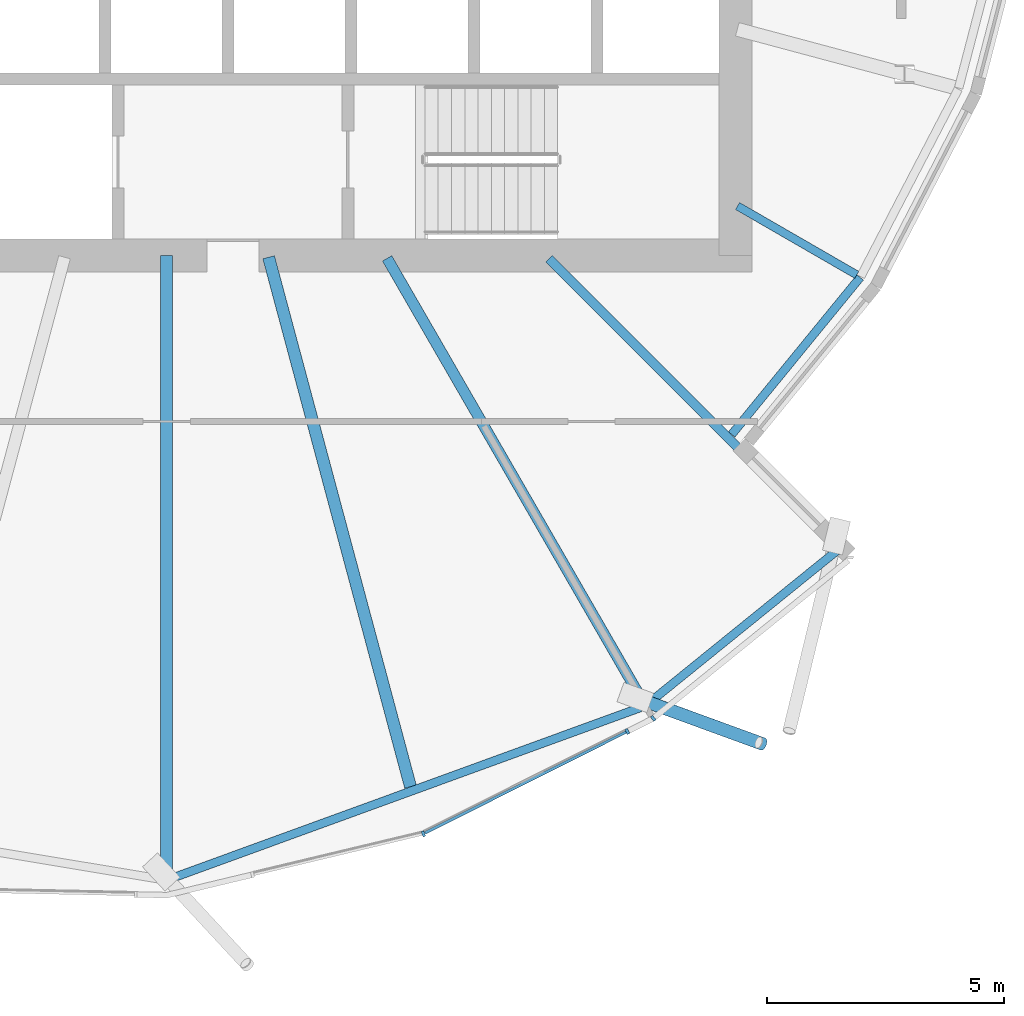
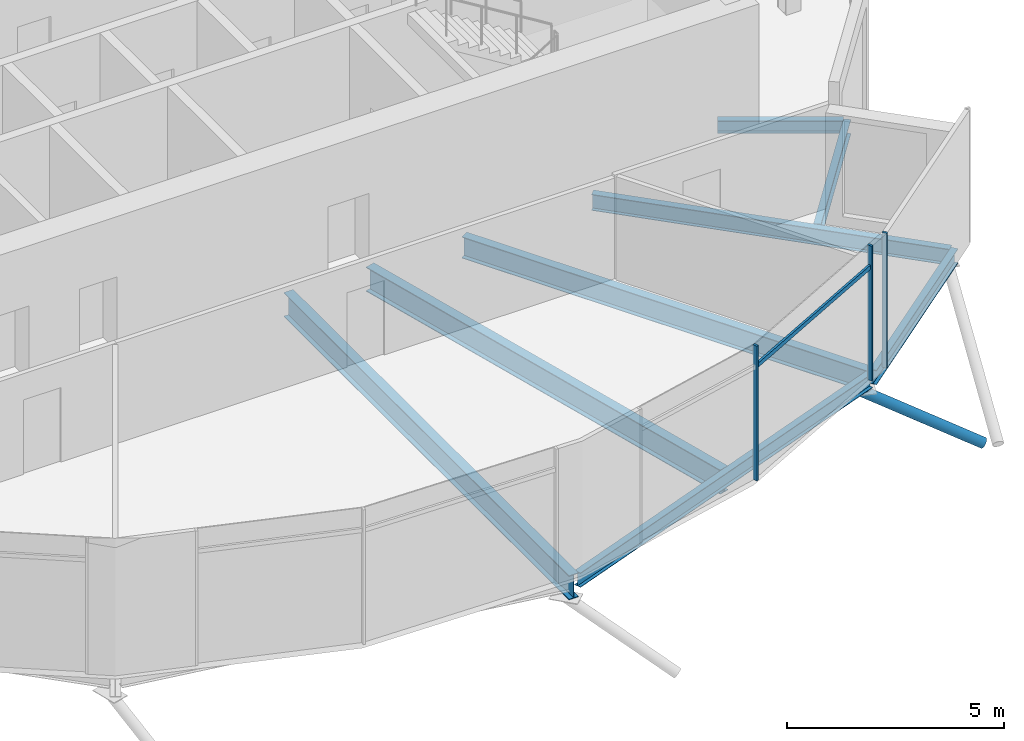
# One storey, part 14 of 39: 8 beams, 5 members, 1 element without a shape of its own.
"""IFC4 building model written with IfcOpenShell, lengths in metres."""

from ifc_helpers import new_model, si_unit, direction, frame, origin, origin_2d, place, context, subcontext, project, spatial, rectangle, hollow_circle, i_section, extrude, clip, halfspace, material, material_profile, profile_set, type_object, element, aggregate, save


model = new_model("IFC4")

# Units and contexts
model_context = context("Model", 3, precision=1e-05, world=origin(), true_north=direction((0.0, 1.0)))
body_context = subcontext(model_context, "Body", "Model", "MODEL_VIEW")
ifc_project = project(units=[si_unit("LENGTHUNIT", "METRE"), si_unit("AREAUNIT", "SQUARE_METRE"), si_unit("VOLUMEUNIT", "CUBIC_METRE"), si_unit("PLANEANGLEUNIT", "RADIAN"), si_unit("MASSUNIT", "GRAM", prefix="KILO")], contexts=[model_context])

# Site, building, storey
site_placement = place(None, origin())
site = spatial("IfcSite", under=ifc_project, at=site_placement, CompositionType="ELEMENT")
building_placement = place(site_placement, origin())
building = spatial("IfcBuilding", under=site, at=building_placement, Name="Rimbun Link Towers", CompositionType="ELEMENT")
storey_placement = place(building_placement, frame((0.0, 0.0, 143.0)))
storey = spatial("IfcBuildingStorey", under=building, at=storey_placement, Name="L34", CompositionType="ELEMENT", Elevation=143.0)

# Curtain wall, members
ifc_material_1 = material(Name="Aluminium 6063-T6 and low-iron glass", Category="aluminium")
curtain_wall_type = type_object("IfcCurtainWallType", Name="CW4 link block wall", PredefinedType="NOTDEFINED", material=ifc_material_1)
curtain_wall_placement = place(storey_placement, origin())
curtain_wall = element("IfcCurtainWall", 1, at=curtain_wall_placement, inside=storey, type_object=curtain_wall_type, Name="CW4 L34 T2", PredefinedType="NOTDEFINED")
ifc_material_2 = material(Name="Aluminium 6063-T6", Category="aluminium")
ifc_material_profile_1 = material_profile(ifc_material_2, rectangle(XDim=0.1201171875, YDim=0.06005859375, at=origin_2d()), Name="MULLION 60X120")
ifc_profile_set_1 = profile_set([ifc_material_profile_1], Name="Aluminium 6063-T6")
member_type_1 = type_object("IfcMemberType", Name="CW4 mullion 60X120", PredefinedType="MULLION", material=ifc_profile_set_1)
member_1_placement = place(storey_placement, frame((37.167236328125, -20.197021484375, 0.0), z_axis=(0.0, 0.0, 1.0), x_axis=(0.342963066451, -0.939348888886, 0.0)))
member_1 = element("IfcMember", 2, at=member_1_placement, type_object=member_type_1, Name="CW4 mullion", PredefinedType="MULLION", context=body_context, shape_type="SweptSolid", body=[
    extrude(rectangle(XDim=0.1201171875, YDim=0.06005859375, at=origin_2d()), origin(), (0.0, 0.0, 1.0), 3.800048828125),
])
member_2_placement = place(storey_placement, frame((41.46826171875, -18.03759765625, 0.0), z_axis=(0.0, 0.0, 1.0), x_axis=(0.448781608432, -0.893641464981, 0.0)))
member_2 = element("IfcMember", 3, at=member_2_placement, type_object=member_type_1, Name="CW4 mullion", PredefinedType="MULLION", context=body_context, shape_type="SweptSolid", body=[
    extrude(rectangle(XDim=0.1201171875, YDim=0.06005859375, at=origin_2d()), origin(), (0.0, 0.0, 1.0), 3.800048828125),
])
member_3_placement = place(storey_placement, frame((42.01513671875, -17.76123046875, 0.0), z_axis=(0.0, 0.0, 1.0), x_axis=(0.629158779809, -0.777276803841, 0.0)))
member_3 = element("IfcMember", 4, at=member_3_placement, type_object=member_type_1, Name="CW4 mullion", PredefinedType="MULLION", context=body_context, shape_type="SweptSolid", body=[
    extrude(rectangle(XDim=0.1201171875, YDim=0.06005859375, at=origin_2d()), origin(), (0.0, 0.0, 1.0), 3.800048828125),
])
ifc_material_3 = material(Name="Aluminium 6063-T6", Category="aluminium")
ifc_material_profile_2 = material_profile(ifc_material_3, rectangle(XDim=0.06005859375, YDim=0.1201171875, at=origin_2d()), Name="TRANSOM 60X120")
ifc_profile_set_2 = profile_set([ifc_material_profile_2], Name="Aluminium 6063-T6")
member_type_2 = type_object("IfcMemberType", Name="CW4 transom 60X120", PredefinedType="USERDEFINED", material=ifc_profile_set_2)
member_4_placement = place(storey_placement, frame((41.4404296875, -18.049072265625, 3.199951171875), z_axis=(-0.893633550107, -0.448797368668, 0.0), x_axis=(0.448797368668, -0.893633550107, 0.0)))
member_4 = element("IfcMember", 5, at=member_4_placement, type_object=member_type_2, Name="CW4 transom", ObjectType="TRANSOM", PredefinedType="USERDEFINED", context=body_context, shape_type="SweptSolid", body=[
    extrude(rectangle(XDim=0.06005859375, YDim=0.1201171875, at=origin_2d()), origin(), (0.0, 0.0, 1.0), 4.745849609375),
])
aggregate(curtain_wall, [member_1, member_2, member_3, member_4])

# Member
ifc_material_4 = material(Name="Steel S355J2H", Category="steel")
ifc_material_profile_3 = material_profile(ifc_material_4, hollow_circle(Radius=0.136474609375, WallThickness=0.012451171875, at=origin_2d()), Name="CHS 273x12.5")
ifc_profile_set_3 = profile_set([ifc_material_profile_3], Name="Steel S355J2H")
member_type_3 = type_object("IfcMemberType", Name="Floor edge link CHS 273x12.5", PredefinedType="BRACE", material=ifc_profile_set_3)
member_5_placement = place(storey_placement, frame((41.780517578125, -17.373291015625, -0.89794921875), z_axis=(0.793245546089, -0.289468507861, -0.535695329985), x_axis=(0.342805092352, 0.939406551317, 0.0)))
element("IfcMember", 6, at=member_5_placement, inside=storey, type_object=member_type_3, Name="Floor edge link T2 L34 17", PredefinedType="BRACE", context=body_context, shape_type="Clipping", body=[
    clip(extrude(hollow_circle(Radius=0.136474609375, WallThickness=0.012451171875, at=origin_2d()), frame((0.0, 0.0, -0.448974609375)), (0.0, 0.0, 1.0), 3.66162109375), halfspace(frame((0.0, 0.0, -0.211669921875), z_axis=(0.0, 0.844411341369, -0.535695329985)), False)),
])

# Beams
ifc_material_5 = material(Name="Steel S355J2", Category="steel")
ifc_material_profile_4 = material_profile(ifc_material_5, i_section(OverallWidth=0.17138671875, OverallDepth=0.35498046875, WebThickness=0.00732421875, FlangeThickness=0.011474609375, at=origin_2d()), Name="UB 356x171x51")
ifc_profile_set_4 = profile_set([ifc_material_profile_4], Name="Steel S355J2")
beam_type_1 = type_object("IfcBeamType", Name="UB 356x171x51", PredefinedType="BEAM", material=ifc_profile_set_4)
beam_1_placement = place(storey_placement, frame((43.793701171875, -6.95361328125, -0.357421875), z_axis=(0.866062421641, -0.49993587771, 0.0), x_axis=(0.49993587771, 0.866062421641, 0.0)))
element("IfcBeam", 7, at=beam_1_placement, inside=storey, type_object=beam_type_1, Name="Radial beam T2 L34 19", PredefinedType="BEAM", context=body_context, shape_type="SweptSolid", body=[
    extrude(i_section(OverallWidth=0.17138671875, OverallDepth=0.35498046875, WebThickness=0.00732421875, FlangeThickness=0.011474609375, at=origin_2d()), origin(), (0.0, 0.0, 1.0), 2.90478515625),
])
ifc_material_6 = material(Name="Steel S355J2", Category="steel")
ifc_material_profile_5 = material_profile(ifc_material_6, i_section(OverallWidth=0.177978515625, OverallDepth=0.406494140625, WebThickness=0.0078125, FlangeThickness=0.0126953125, at=origin_2d()), Name="UB 406x178x60")
ifc_profile_set_5 = profile_set([ifc_material_profile_5], Name="Steel S355J2")
beam_type_2 = type_object("IfcBeamType", Name="UB 406x178x60", PredefinedType="BEAM", material=ifc_profile_set_5)
beam_2_placement = place(storey_placement, frame((31.877685546875, -21.127685546875, -0.38330078125), z_axis=(0.939626268784, 0.342202388963, 0.0), x_axis=(-0.342202388963, 0.939626268784, 0.0)))
element("IfcBeam", 8, at=beam_2_placement, inside=storey, type_object=beam_type_2, Name="Edge beam T2 L34 15-17", PredefinedType="BEAM", context=body_context, shape_type="SweptSolid", body=[
    extrude(i_section(OverallWidth=0.177978515625, OverallDepth=0.406494140625, WebThickness=0.0078125, FlangeThickness=0.0126953125, at=origin_2d()), origin(), (0.0, 0.0, 1.0), 10.49755859375),
])
beam_3_placement = place(storey_placement, frame((41.851806640625, -17.494873046875, -0.38330078125), z_axis=(0.777266506307, 0.6291715014, 0.0), x_axis=(-0.6291715014, 0.777266506307, 0.0)))
element("IfcBeam", 9, at=beam_3_placement, inside=storey, type_object=beam_type_2, Name="Edge beam T2 L34 17", PredefinedType="BEAM", context=body_context, shape_type="SweptSolid", body=[
    extrude(i_section(OverallWidth=0.177978515625, OverallDepth=0.406494140625, WebThickness=0.0078125, FlangeThickness=0.0126953125, at=origin_2d()), origin(), (0.0, 0.0, 1.0), 5.255615234375),
])
beam_4_placement = place(storey_placement, frame((43.6708984375, -11.772705078125, -0.38330078125), z_axis=(0.633032798908, 0.774124974088, 0.0), x_axis=(-0.774124974088, 0.633032798908, 0.0)))
element("IfcBeam", 10, at=beam_4_placement, inside=storey, type_object=beam_type_2, Name="Edge beam T2 L34 18 recess", PredefinedType="BEAM", context=body_context, shape_type="SweptSolid", body=[
    extrude(i_section(OverallWidth=0.177978515625, OverallDepth=0.406494140625, WebThickness=0.0078125, FlangeThickness=0.0126953125, at=origin_2d()), origin(), (0.0, 0.0, 1.0), 4.281005859375),
])
ifc_material_7 = material(Name="Steel S355J2", Category="steel")
ifc_material_profile_6 = material_profile(ifc_material_7, i_section(OverallWidth=0.18994140625, OverallDepth=0.453369140625, WebThickness=0.008544921875, FlangeThickness=0.0126953125, at=origin_2d()), Name="UB 457x191x67")
ifc_profile_set_6 = profile_set([ifc_material_profile_6], Name="Steel S355J2")
beam_type_3 = type_object("IfcBeamType", Name="UB 457x191x67", PredefinedType="BEAM", material=ifc_profile_set_6)
beam_5_placement = place(storey_placement, frame((39.81787109375, -8.06787109375, -0.40673828125), z_axis=(0.707106781187, -0.707106781187, 0.0), x_axis=(0.707106781187, 0.707106781187, 0.0)))
element("IfcBeam", 11, at=beam_5_placement, inside=storey, type_object=beam_type_3, Name="Radial beam T2 L34 18", PredefinedType="BEAM", context=body_context, shape_type="SweptSolid", body=[
    extrude(i_section(OverallWidth=0.18994140625, OverallDepth=0.453369140625, WebThickness=0.008544921875, FlangeThickness=0.0126953125, at=origin_2d()), origin(), (0.0, 0.0, 1.0), 8.56396484375),
])
ifc_material_8 = material(Name="Steel S355J2", Category="steel")
ifc_material_profile_7 = material_profile(ifc_material_8, i_section(OverallWidth=0.2275390625, OverallDepth=0.6025390625, WebThickness=0.010498046875, FlangeThickness=0.014892578125, at=origin_2d()), Name="UB 610x229x101")
ifc_profile_set_7 = profile_set([ifc_material_profile_7], Name="Steel S355J2")
beam_type_4 = type_object("IfcBeamType", Name="UB 610x229x101", PredefinedType="BEAM", material=ifc_profile_set_7)
beam_6_placement = place(storey_placement, frame((36.402099609375, -8.057861328125, -0.481201171875), z_axis=(0.50000732203, -0.866021176367, 0.0), x_axis=(0.866021176367, 0.50000732203, 0.0)))
element("IfcBeam", 12, at=beam_6_placement, inside=storey, type_object=beam_type_4, Name="Radial beam T2 L34 17", PredefinedType="BEAM", context=body_context, shape_type="SweptSolid", body=[
    extrude(i_section(OverallWidth=0.2275390625, OverallDepth=0.6025390625, WebThickness=0.010498046875, FlangeThickness=0.014892578125, at=origin_2d()), origin(), (0.0, 0.0, 1.0), 10.806396484375),
])
ifc_material_9 = material(Name="Steel S355J2", Category="steel")
ifc_material_profile_8 = material_profile(ifc_material_9, i_section(OverallWidth=0.253662109375, OverallDepth=0.68359375, WebThickness=0.012451171875, FlangeThickness=0.01904296875, at=origin_2d()), Name="UB 686x254x140")
ifc_profile_set_8 = profile_set([ifc_material_profile_8], Name="Steel S355J2")
beam_type_5 = type_object("IfcBeamType", Name="UB 686x254x140", PredefinedType="BEAM", material=ifc_profile_set_8)
beam_7_placement = place(storey_placement, frame((31.75, -8.0009765625, -0.521728515625), z_axis=(0.0, -1.0, 0.0), x_axis=(1.0, 0.0, 0.0)))
element("IfcBeam", 13, at=beam_7_placement, inside=storey, type_object=beam_type_5, Name="Radial beam T2 L34 15", PredefinedType="BEAM", context=body_context, shape_type="SweptSolid", body=[
    extrude(i_section(OverallWidth=0.253662109375, OverallDepth=0.68359375, WebThickness=0.012451171875, FlangeThickness=0.01904296875, at=origin_2d()), origin(), (0.0, 0.0, 1.0), 13.17333984375),
])
beam_8_placement = place(storey_placement, frame((33.902587890625, -8.03369140625, -0.521728515625), z_axis=(0.25881874375, -0.965925907036, 0.0), x_axis=(0.965925907036, 0.25881874375, 0.0)))
element("IfcBeam", 14, at=beam_8_placement, inside=storey, type_object=beam_type_5, Name="Radial beam T2 L34 16", PredefinedType="BEAM", context=body_context, shape_type="SweptSolid", body=[
    extrude(i_section(OverallWidth=0.253662109375, OverallDepth=0.68359375, WebThickness=0.012451171875, FlangeThickness=0.01904296875, at=origin_2d()), origin(), (0.0, 0.0, 1.0), 11.564697265625),
])

save(model, "model.ifc")
